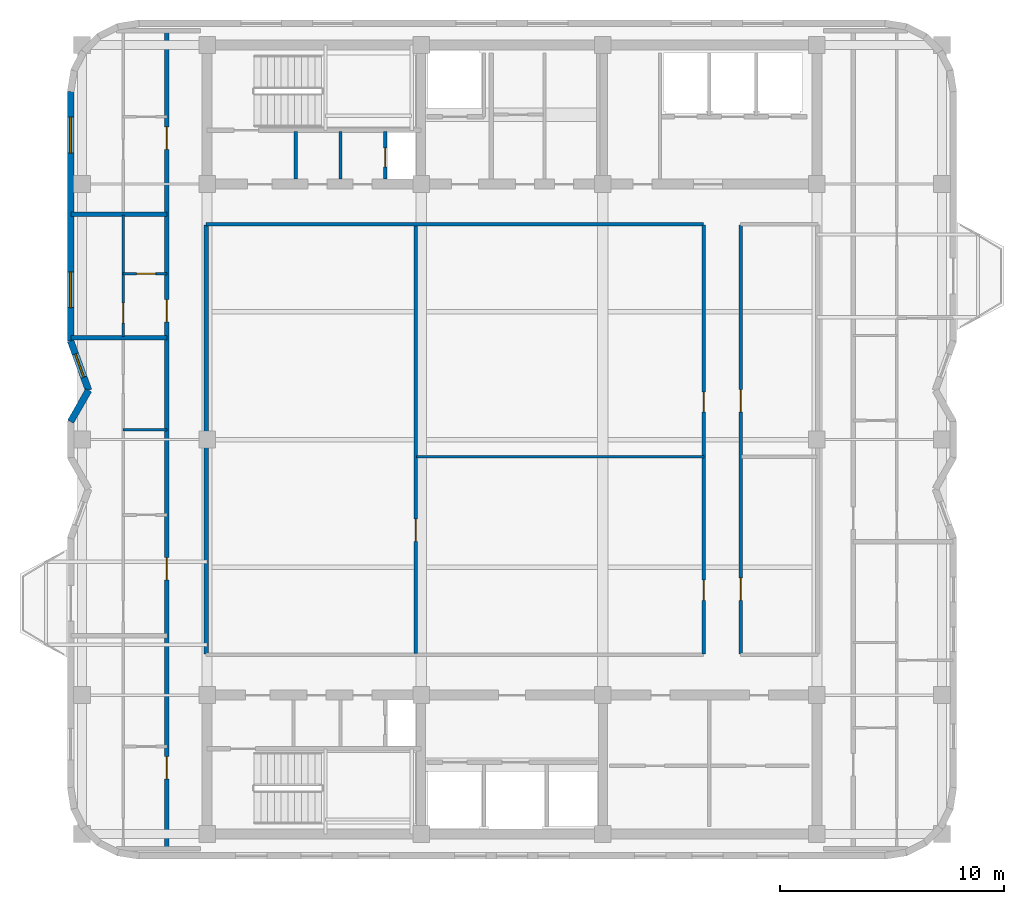
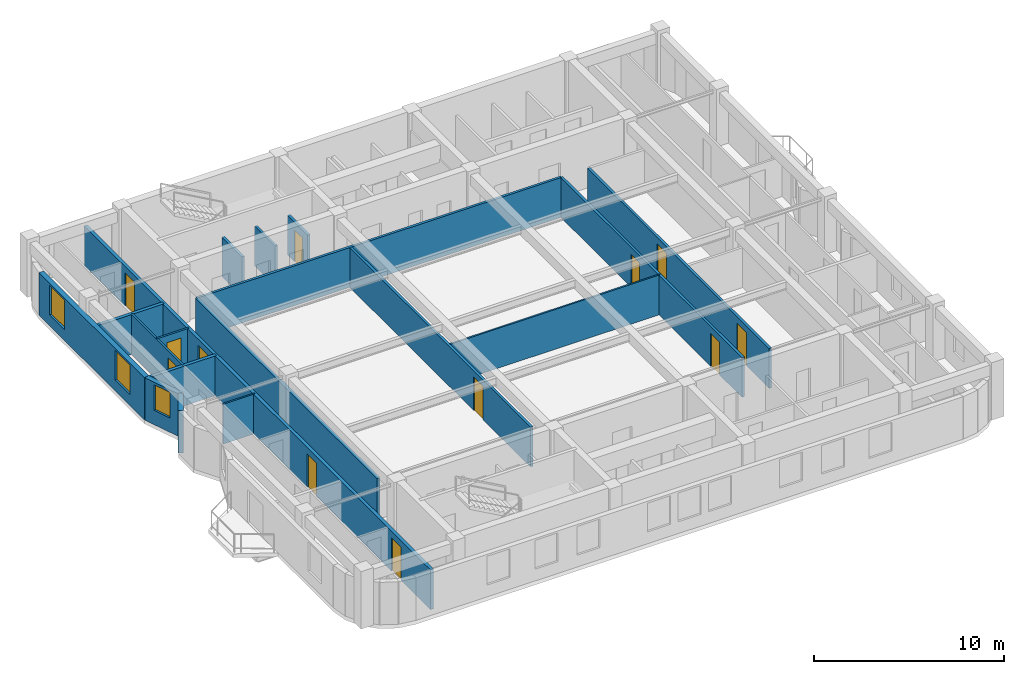
# One storey, part 4 of 9: 18 walls, 12 doors, 3 windows, 15 openings.
"""IFC4 building model written with IfcOpenShell, lengths in metres."""

from ifc_helpers import new_model, si_unit, direction, frame, frame_2d, origin, place, context, subcontext, project, spatial, rectangle, extrude, material, layer, layer_set, type_object, element, fill, save


model = new_model("IFC4")

# Units and contexts
model_context = context("Model", 3, precision=1e-05, world=origin(), true_north=direction((0.0, 1.0)))
body_context = subcontext(model_context, "Body", "Model", "MODEL_VIEW")
ifc_project = project(units=[si_unit("LENGTHUNIT", "METRE"), si_unit("AREAUNIT", "SQUARE_METRE"), si_unit("VOLUMEUNIT", "CUBIC_METRE"), si_unit("PLANEANGLEUNIT", "RADIAN"), si_unit("MASSUNIT", "GRAM", prefix="KILO")], contexts=[model_context])

# Site, building, storey
site_placement = place(None, origin())
site = spatial("IfcSite", under=ifc_project, at=site_placement, CompositionType="ELEMENT")
building_placement = place(site_placement, origin())
building = spatial("IfcBuilding", under=site, at=building_placement, Name="Svetorya Sky Lyceum", CompositionType="ELEMENT")
storey_placement = place(building_placement, frame((0.0, 0.0, 267.60009765625)))
storey = spatial("IfcBuildingStorey", under=building, at=storey_placement, Name="L67", CompositionType="ELEMENT", Elevation=267.60009765625)

# Wall, openings, windows
ifc_material_1 = material(Name="Putilovo limestone rainscreen on autoclaved cellular masonry", Category="masonry")
ifc_layer_1 = layer(ifc_material_1, 0.300048828125)
ifc_layer_set_1 = layer_set([ifc_layer_1], Name="Putilovo limestone rainscreen on autoclaved cellular masonry")
wall_type_1 = type_object("IfcWallType", Name="WL-EXT-300", PredefinedType="SOLIDWALL", material=ifc_layer_set_1)
wall_1_placement = place(storey_placement, frame((19.510009765625, 43.719970703125, 0.0), z_axis=(0.0, 0.0, 1.0), x_axis=(0.0, -1.0, 0.0)))
wall_1 = element("IfcWall", 1, at=wall_1_placement, inside=storey, type_object=wall_type_1, Name="L67 Limestone Exterior Wall 30M", PredefinedType="SOLIDWALL", context=body_context, shape_type="SweptSolid", body=[
    extrude(rectangle(XDim=11.119873046875, YDim=0.300048828125, at=frame_2d((5.56005859375, 0.0))), origin(), (0.0, 0.0, 1.0), 2.72998046875),
])
opening_1_placement = place(wall_1_placement, frame((1.13671875, 0.0, 0.7099609375)))
opening_1 = element("IfcOpeningElement", 2, at=opening_1_placement, cuts=wall_1, Name="Opening W-R4", PredefinedType="OPENING", context=body_context, shape_type="SweptSolid", body=[
    extrude(rectangle(XDim=1.60009765625, YDim=1.89990234375, at=frame_2d((0.800048828125, 0.949951171875))), frame((0.0, 0.159912109375, 0.0), z_axis=(0.0, -1.0, 0.0), x_axis=(1.0, 0.0, 0.0)), (0.0, 0.0, 1.0), 0.320068359375),
])
opening_2_placement = place(wall_1_placement, frame((8.033203125, 0.0, 0.7099609375)))
opening_2 = element("IfcOpeningElement", 3, at=opening_2_placement, cuts=wall_1, Name="Opening W-R4", PredefinedType="OPENING", context=body_context, shape_type="SweptSolid", body=[
    extrude(rectangle(XDim=1.60009765625, YDim=1.89990234375, at=frame_2d((0.800048828125, 0.949951171875))), frame((0.0, 0.159912109375, 0.0), z_axis=(0.0, -1.0, 0.0), x_axis=(1.0, 0.0, 0.0)), (0.0, 0.0, 1.0), 0.320068359375),
])
ifc_material_2 = material(Name="Thermally broken aluminium frame with triple low-E glazing", Category="aluminium")
window_type_1 = type_object("IfcWindowType", Name="WN-RES-160", PartitioningType="DOUBLE_PANEL_VERTICAL", PredefinedType="WINDOW", material=ifc_material_2)
window_1_placement = place(opening_1_placement, origin())
window_1 = element("IfcWindow", 4, at=window_1_placement, inside=storey, type_object=window_type_1, Name="L67 Facade Window W-R4.30M.1", OverallHeight=1.89990234375, OverallWidth=1.60009765625, PartitioningType="SINGLE_PANEL", PredefinedType="WINDOW", context=body_context, shape_type="SweptSolid", body=[
    extrude(rectangle(XDim=1.60009765625, YDim=1.89990234375, at=frame_2d((0.800048828125, 0.949951171875))), frame((0.0, 0.030029296875, 0.0), z_axis=(0.0, -1.0, 0.0), x_axis=(1.0, 0.0, 0.0)), (0.0, 0.0, 1.0), 0.06005859375),
])
fill(opening_1, window_1)
window_2_placement = place(opening_2_placement, origin())
window_2 = element("IfcWindow", 5, at=window_2_placement, inside=storey, type_object=window_type_1, Name="L67 Facade Window W-R4.30M.2", OverallHeight=1.89990234375, OverallWidth=1.60009765625, PartitioningType="SINGLE_PANEL", PredefinedType="WINDOW", context=body_context, shape_type="SweptSolid", body=[
    extrude(rectangle(XDim=1.60009765625, YDim=1.89990234375, at=frame_2d((0.800048828125, 0.949951171875))), frame((0.0, 0.030029296875, 0.0), z_axis=(0.0, -1.0, 0.0), x_axis=(1.0, 0.0, 0.0)), (0.0, 0.0, 1.0), 0.06005859375),
])
fill(opening_2, window_2)

# Wall, opening, window
wall_2_placement = place(storey_placement, frame((19.510009765625, 32.60009765625, 0.0), z_axis=(0.0, 0.0, 1.0), x_axis=(0.341734690003, -0.939796468204, 0.0)))
wall_2 = element("IfcWall", 6, at=wall_2_placement, inside=storey, type_object=wall_type_1, Name="L67 Limestone Exterior Wall 31M", PredefinedType="SOLIDWALL", context=body_context, shape_type="SweptSolid", body=[
    extrude(rectangle(XDim=2.341064453125, YDim=0.300048828125, at=frame_2d((1.17041015625, 0.0))), origin(), (0.0, 0.0, 1.0), 2.72998046875),
])
opening_3_placement = place(wall_2_placement, frame((0.62060546875, 0.0, 0.919921875)))
opening_3 = element("IfcOpeningElement", 7, at=opening_3_placement, cuts=wall_2, Name="Opening W-R3", PredefinedType="OPENING", context=body_context, shape_type="SweptSolid", body=[
    extrude(rectangle(XDim=1.10009765625, YDim=1.64990234375, at=frame_2d((0.550048828125, 0.824951171875))), frame((0.0, 0.159912109375, 0.0), z_axis=(0.0, -1.0, 0.0), x_axis=(1.0, 0.0, 0.0)), (0.0, 0.0, 1.0), 0.320068359375),
])
window_type_2 = type_object("IfcWindowType", Name="WN-RES-110", PartitioningType="SINGLE_PANEL", PredefinedType="WINDOW", material=ifc_material_2)
window_3_placement = place(opening_3_placement, origin())
window_3 = element("IfcWindow", 8, at=window_3_placement, inside=storey, type_object=window_type_2, Name="L67 Facade Window W-R3.31M.1", OverallHeight=1.64990234375, OverallWidth=1.10009765625, PartitioningType="SINGLE_PANEL", PredefinedType="WINDOW", context=body_context, shape_type="SweptSolid", body=[
    extrude(rectangle(XDim=1.10009765625, YDim=1.64990234375, at=frame_2d((0.550048828125, 0.824951171875))), frame((0.0, 0.030029296875, 0.0), z_axis=(0.0, -1.0, 0.0), x_axis=(1.0, 0.0, 0.0)), (0.0, 0.0, 1.0), 0.06005859375),
])
fill(opening_3, window_3)

# Walls
wall_3_placement = place(storey_placement, frame((20.31005859375, 30.39990234375, 0.0), z_axis=(0.0, 0.0, 1.0), x_axis=(-0.496187856351, -0.868215187157, 0.0)))
element("IfcWall", 9, at=wall_3_placement, inside=storey, type_object=wall_type_1, Name="L67 Limestone Exterior Wall 32M", PredefinedType="SOLIDWALL", context=body_context, shape_type="SweptSolid", body=[
    extrude(rectangle(XDim=1.6123046875, YDim=0.300048828125, at=frame_2d((0.80615234375, 0.0))), origin(), (0.0, 0.0, 1.0), 2.72998046875),
])
ifc_material_3 = material(Name="Galvanized stud partition with moisture-resistant board", Category="gypsum")
ifc_layer_2 = layer(ifc_material_3, 0.10009765625)
ifc_layer_set_2 = layer_set([ifc_layer_2], Name="Galvanized stud partition with moisture-resistant board")
wall_type_2 = type_object("IfcWallType", Name="WL-PART-100", PredefinedType="PARTITIONING", material=ifc_layer_set_2)
wall_4_placement = place(storey_placement, frame((34.949951171875, 27.434326171875, 0.0), z_axis=(0.0, 0.0, 1.0), x_axis=(1.0, 0.0, 0.0)))
element("IfcWall", 10, at=wall_4_placement, inside=storey, type_object=wall_type_2, Name="L67 Interior Partition OFF-WHM", PredefinedType="PARTITIONING", context=body_context, shape_type="SweptSolid", body=[
    extrude(rectangle(XDim=12.81005859375, YDim=0.10009765625, at=frame_2d((6.405029296875, 0.0))), origin(), (0.0, 0.0, 1.0), 2.559814453125),
])
wall_5_placement = place(storey_placement, frame((21.85009765625, 28.639892578125, 0.0), z_axis=(0.0, 0.0, 1.0), x_axis=(1.0, 0.0, 0.0)))
element("IfcWall", 11, at=wall_5_placement, inside=storey, type_object=wall_type_2, Name="L67 Interior Partition W2-WH2", PredefinedType="PARTITIONING", context=body_context, shape_type="SweptSolid", body=[
    extrude(rectangle(XDim=1.949951171875, YDim=0.10009765625, at=frame_2d((0.97509765625, 0.0))), origin(), (0.0, 0.0, 1.0), 2.559814453125),
])

# Wall, opening, door
ifc_material_4 = material(Name="Twin-stud galvanized framing with double fireboard", Category="gypsum")
ifc_layer_3 = layer(ifc_material_4, 0.1201171875)
ifc_layer_set_3 = layer_set([ifc_layer_3], Name="Twin-stud galvanized framing with double fireboard")
wall_type_3 = type_object("IfcWallType", Name="WL-PART-120", PredefinedType="PARTITIONING", material=ifc_layer_set_3)
wall_6_placement = place(storey_placement, frame((21.85009765625, 35.60009765625, 0.0), z_axis=(0.0, 0.0, 1.0), x_axis=(1.0, 0.0, 0.0)))
wall_6 = element("IfcWall", 12, at=wall_6_placement, inside=storey, type_object=wall_type_3, Name="L67 Interior Partition W3-WH1", PredefinedType="PARTITIONING", context=body_context, shape_type="SweptSolid", body=[
    extrude(rectangle(XDim=1.949951171875, YDim=0.1201171875, at=frame_2d((0.97509765625, 0.0))), origin(), (0.0, 0.0, 1.0), 2.559814453125),
])
opening_4_placement = place(wall_6_placement, frame((0.60009765625, 0.0, 0.0)))
opening_4 = element("IfcOpeningElement", 13, at=opening_4_placement, cuts=wall_6, Name="Opening D-BT1", PredefinedType="OPENING", context=body_context, shape_type="SweptSolid", body=[
    extrude(rectangle(XDim=0.85009765625, YDim=2.10009765625, at=frame_2d((0.425048828125, 1.050048828125))), frame((0.0, 0.070068359375, 0.0), z_axis=(0.0, -1.0, 0.0), x_axis=(1.0, 0.0, 0.0)), (0.0, 0.0, 1.0), 0.14013671875),
])
ifc_material_5 = material(Name="Moisture-resistant laminate bathroom door")
door_type_1 = type_object("IfcDoorType", Name="DR-WET-850", OperationType="SINGLE_SWING_LEFT", PredefinedType="DOOR", material=ifc_material_5)
door_1_placement = place(opening_4_placement, origin())
door_1 = element("IfcDoor", 14, at=door_1_placement, inside=storey, type_object=door_type_1, Name="Apartment W3 Bathroom Door", OperationType="SINGLE_SWING_LEFT", OverallHeight=2.10009765625, OverallWidth=0.85009765625, PredefinedType="DOOR", context=body_context, shape_type="SweptSolid", body=[
    extrude(rectangle(XDim=0.85009765625, YDim=2.10009765625, at=frame_2d((0.425048828125, 1.050048828125))), frame((0.0, 0.02490234375, 0.0), z_axis=(0.0, -1.0, 0.0), x_axis=(1.0, 0.0, 0.0)), (0.0, 0.0, 1.0), 0.050048828125),
])
fill(opening_4, door_1)

wall_7_placement = place(storey_placement, frame((21.85009765625, 32.7900390625, 0.0), z_axis=(0.0, 0.0, 1.0), x_axis=(0.0, 1.0, 0.0)))
wall_7 = element("IfcWall", 15, at=wall_7_placement, inside=storey, type_object=wall_type_3, Name="L67 Interior Partition W3-WV", PredefinedType="PARTITIONING", context=body_context, shape_type="SweptSolid", body=[
    extrude(rectangle(XDim=5.419921875, YDim=0.1201171875, at=frame_2d((2.7099609375, 0.0))), origin(), (0.0, 0.0, 1.0), 2.559814453125),
])
opening_5_placement = place(wall_7_placement, frame((0.610107421875, 0.0, 0.0)))
opening_5 = element("IfcOpeningElement", 16, at=opening_5_placement, cuts=wall_7, Name="Opening D-RM1", PredefinedType="OPENING", context=body_context, shape_type="SweptSolid", body=[
    extrude(rectangle(XDim=0.89990234375, YDim=2.10009765625, at=frame_2d((0.449951171875, 1.050048828125))), frame((0.0, 0.070068359375, 0.0), z_axis=(0.0, -1.0, 0.0), x_axis=(1.0, 0.0, 0.0)), (0.0, 0.0, 1.0), 0.14013671875),
])
ifc_material_6 = material(Name="Lacquered birch veneer internal door")
door_type_2 = type_object("IfcDoorType", Name="DR-INT-900", OperationType="SINGLE_SWING_LEFT", PredefinedType="DOOR", material=ifc_material_6)
door_2_placement = place(opening_5_placement, origin())
door_2 = element("IfcDoor", 17, at=door_2_placement, inside=storey, type_object=door_type_2, Name="Apartment W3 Living Door", OperationType="SINGLE_SWING_RIGHT", OverallHeight=2.10009765625, OverallWidth=0.89990234375, PredefinedType="DOOR", context=body_context, shape_type="SweptSolid", body=[
    extrude(rectangle(XDim=0.89990234375, YDim=2.10009765625, at=frame_2d((0.449951171875, 1.050048828125))), frame((0.0, 0.02490234375, 0.0), z_axis=(0.0, -1.0, 0.0), x_axis=(1.0, 0.0, 0.0)), (0.0, 0.0, 1.0), 0.050048828125),
])
fill(opening_5, door_2)

ifc_material_7 = material(Name="Autoclaved cellular masonry blockwork with acoustic render", Category="masonry")
ifc_layer_4 = layer(ifc_material_7, 0.14990234375)
ifc_layer_set_4 = layer_set([ifc_layer_4], Name="Autoclaved cellular masonry blockwork with acoustic render")
wall_type_4 = type_object("IfcWallType", Name="WL-PART-150", PredefinedType="PARTITIONING", material=ifc_layer_set_4)
wall_8_placement = place(storey_placement, frame((33.550048828125, 39.820068359375, 0.0), z_axis=(0.0, 0.0, 1.0), x_axis=(0.0, 1.0, 0.0)))
wall_8 = element("IfcWall", 18, at=wall_8_placement, inside=storey, type_object=wall_type_4, Name="L67 Interior Partition NC-RSRW", PredefinedType="PARTITIONING", context=body_context, shape_type="SweptSolid", body=[
    extrude(rectangle(XDim=2.1298828125, YDim=0.14990234375, at=frame_2d((1.06494140625, 0.0))), origin(), (0.0, 0.0, 1.0), 2.559814453125),
])
opening_6_placement = place(wall_8_placement, frame((0.550048828125, 0.0, 0.0)))
opening_6 = element("IfcOpeningElement", 19, at=opening_6_placement, cuts=wall_8, Name="Opening D-SH1", PredefinedType="OPENING", context=body_context, shape_type="SweptSolid", body=[
    extrude(rectangle(XDim=0.85009765625, YDim=2.050048828125, at=frame_2d((0.425048828125, 1.02490234375))), frame((0.0, 0.0849609375, 0.0), z_axis=(0.0, -1.0, 0.0), x_axis=(1.0, 0.0, 0.0)), (0.0, 0.0, 1.0), 0.169921875),
])
ifc_material_8 = material(Name="Insulated galvanized riser inspection fire door")
door_type_3 = type_object("IfcDoorType", Name="DR-SHFT-850", OperationType="SINGLE_SWING_LEFT", PredefinedType="TRAPDOOR", material=ifc_material_8)
door_3_placement = place(opening_6_placement, origin())
door_3 = element("IfcDoor", 20, at=door_3_placement, inside=storey, type_object=door_type_3, Name="L67 North Riser Access Door", OperationType="SINGLE_SWING_LEFT", OverallHeight=2.050048828125, OverallWidth=0.85009765625, PredefinedType="TRAPDOOR", context=body_context, shape_type="SweptSolid", body=[
    extrude(rectangle(XDim=0.85009765625, YDim=2.050048828125, at=frame_2d((0.425048828125, 1.02490234375))), frame((0.0, 0.02490234375, 0.0), z_axis=(0.0, -1.0, 0.0), x_axis=(1.0, 0.0, 0.0)), (0.0, 0.0, 1.0), 0.050048828125),
])
fill(opening_6, door_3)

# Walls
for number, where, z_axis, x_axis, name in (
    (21, (29.550048828125, 39.820068359375, 0.0), (0.0, 0.0, 1.0), (0.0, 1.0, 0.0), "L67 Interior Partition NC-NWD1"),
    (22, (31.550048828125, 39.820068359375, 0.0), (0.0, 0.0, 1.0), (0.0, 1.0, 0.0), "L67 Interior Partition NC-NWD2"),
):
    element("IfcWall", number, at=place(storey_placement, frame(where, z_axis=z_axis, x_axis=x_axis)), inside=storey, type_object=wall_type_4, Name=name, PredefinedType="PARTITIONING", context=body_context, shape_type="SweptSolid", body=[
        extrude(rectangle(XDim=2.1298828125, YDim=0.14990234375, at=frame_2d((1.06494140625, 0.0))), origin(), (0.0, 0.0, 1.0), 2.559814453125),
    ])
wall_9_placement = place(storey_placement, frame((25.550048828125, 37.800048828125, 0.0), z_axis=(0.0, 0.0, 1.0), x_axis=(1.0, 0.0, 0.0)))
element("IfcWall", 23, at=wall_9_placement, inside=storey, type_object=wall_type_4, Name="L67 Interior Partition OFF-CN-W", PredefinedType="PARTITIONING", context=body_context, shape_type="SweptSolid", body=[
    extrude(rectangle(XDim=22.199951171875, YDim=0.14990234375, at=frame_2d((11.10009765625, 0.0))), origin(), (0.0, 0.0, 1.0), 2.559814453125),
])

# Wall, opening, door
wall_10_placement = place(storey_placement, frame((34.89990234375, 18.659912109375, 0.0), z_axis=(0.0, 0.0, 1.0), x_axis=(0.0, 1.0, 0.0)))
wall_10 = element("IfcWall", 24, at=wall_10_placement, inside=storey, type_object=wall_type_4, Name="L67 Interior Partition OFF-WVM", PredefinedType="PARTITIONING", context=body_context, shape_type="SweptSolid", body=[
    extrude(rectangle(XDim=19.080078125, YDim=0.14990234375, at=frame_2d((9.5400390625, 0.0))), origin(), (0.0, 0.0, 1.0), 2.559814453125),
])
opening_7_placement = place(wall_10_placement, frame((5.0, 0.0, 0.0)))
opening_7 = element("IfcOpeningElement", 25, at=opening_7_placement, cuts=wall_10, Name="Opening D-RM2", PredefinedType="OPENING", context=body_context, shape_type="SweptSolid", body=[
    extrude(rectangle(XDim=1.0, YDim=2.14990234375, at=frame_2d((0.5, 1.074951171875))), frame((0.0, 0.0849609375, 0.0), z_axis=(0.0, -1.0, 0.0), x_axis=(1.0, 0.0, 0.0)), (0.0, 0.0, 1.0), 0.169921875),
])
ifc_material_9 = material(Name="Solid-core oak acoustic room door")
door_type_4 = type_object("IfcDoorType", Name="DR-INT-1000", OperationType="SINGLE_SWING_LEFT", PredefinedType="DOOR", material=ifc_material_9)
door_4_placement = place(opening_7_placement, origin())
door_4 = element("IfcDoor", 26, at=door_4_placement, inside=storey, type_object=door_type_4, Name="L67 West Seminar Door", OperationType="SINGLE_SWING_LEFT", OverallHeight=2.14990234375, OverallWidth=1.0, PredefinedType="DOOR", context=body_context, shape_type="SweptSolid", body=[
    extrude(rectangle(XDim=1.0, YDim=2.14990234375, at=frame_2d((0.5, 1.074951171875))), frame((0.0, 0.02490234375, 0.0), z_axis=(0.0, -1.0, 0.0), x_axis=(1.0, 0.0, 0.0)), (0.0, 0.0, 1.0), 0.050048828125),
])
fill(opening_7, door_4)

# Wall, openings, doors
wall_11_placement = place(storey_placement, frame((47.75, 18.6298828125, 0.0), z_axis=(0.0, 0.0, 1.0), x_axis=(0.0, 1.0, 0.0)))
wall_11 = element("IfcWall", 27, at=wall_11_placement, inside=storey, type_object=wall_type_4, Name="L67 Interior Partition OFF-VW", PredefinedType="PARTITIONING", context=body_context, shape_type="SweptSolid", body=[
    extrude(rectangle(XDim=19.14013671875, YDim=0.14990234375, at=frame_2d((9.570068359375, 0.0))), origin(), (0.0, 0.0, 1.0), 2.559814453125),
])
opening_8_placement = place(wall_11_placement, frame((2.39990234375, 0.0, 0.0)))
opening_8 = element("IfcOpeningElement", 28, at=opening_8_placement, cuts=wall_11, Name="Opening D-RM1", PredefinedType="OPENING", context=body_context, shape_type="SweptSolid", body=[
    extrude(rectangle(XDim=0.89990234375, YDim=2.10009765625, at=frame_2d((0.449951171875, 1.050048828125))), frame((0.0, 0.0849609375, 0.0), z_axis=(0.0, -1.0, 0.0), x_axis=(1.0, 0.0, 0.0)), (0.0, 0.0, 1.0), 0.169921875),
])
opening_9_placement = place(wall_11_placement, frame((10.804443359375, 0.0, 0.0)))
opening_9 = element("IfcOpeningElement", 29, at=opening_9_placement, cuts=wall_11, Name="Opening D-RM1", PredefinedType="OPENING", context=body_context, shape_type="SweptSolid", body=[
    extrude(rectangle(XDim=0.89990234375, YDim=2.10009765625, at=frame_2d((0.449951171875, 1.050048828125))), frame((0.0, 0.0849609375, 0.0), z_axis=(0.0, -1.0, 0.0), x_axis=(1.0, 0.0, 0.0)), (0.0, 0.0, 1.0), 0.169921875),
])
door_5_placement = place(opening_8_placement, origin())
door_5 = element("IfcDoor", 30, at=door_5_placement, inside=storey, type_object=door_type_2, Name="L67 Study Door", OperationType="SINGLE_SWING_LEFT", OverallHeight=2.10009765625, OverallWidth=0.89990234375, PredefinedType="DOOR", context=body_context, shape_type="SweptSolid", body=[
    extrude(rectangle(XDim=0.89990234375, YDim=2.10009765625, at=frame_2d((0.449951171875, 1.050048828125))), frame((0.0, 0.02490234375, 0.0), z_axis=(0.0, -1.0, 0.0), x_axis=(1.0, 0.0, 0.0)), (0.0, 0.0, 1.0), 0.050048828125),
])
fill(opening_8, door_5)
door_6_placement = place(opening_9_placement, origin())
door_6 = element("IfcDoor", 31, at=door_6_placement, inside=storey, type_object=door_type_2, Name="L67 Office Door", OperationType="SINGLE_SWING_RIGHT", OverallHeight=2.10009765625, OverallWidth=0.89990234375, PredefinedType="DOOR", context=body_context, shape_type="SweptSolid", body=[
    extrude(rectangle(XDim=0.89990234375, YDim=2.10009765625, at=frame_2d((0.449951171875, 1.050048828125))), frame((0.0, 0.02490234375, 0.0), z_axis=(0.0, -1.0, 0.0), x_axis=(1.0, 0.0, 0.0)), (0.0, 0.0, 1.0), 0.050048828125),
])
fill(opening_9, door_6)

wall_12_placement = place(storey_placement, frame((49.39990234375, 18.6298828125, 0.0), z_axis=(0.0, 0.0, 1.0), x_axis=(0.0, 1.0, 0.0)))
wall_12 = element("IfcWall", 32, at=wall_12_placement, inside=storey, type_object=wall_type_4, Name="L67 Interior Partition OFF-VE", PredefinedType="PARTITIONING", context=body_context, shape_type="SweptSolid", body=[
    extrude(rectangle(XDim=19.14013671875, YDim=0.14990234375, at=frame_2d((9.570068359375, 0.0))), origin(), (0.0, 0.0, 1.0), 2.559814453125),
])
opening_10_placement = place(wall_12_placement, frame((2.39990234375, 0.0, 0.0)))
opening_10 = element("IfcOpeningElement", 33, at=opening_10_placement, cuts=wall_12, Name="Opening D-RM2", PredefinedType="OPENING", context=body_context, shape_type="SweptSolid", body=[
    extrude(rectangle(XDim=1.0, YDim=2.14990234375, at=frame_2d((0.5, 1.074951171875))), frame((0.0, 0.0849609375, 0.0), z_axis=(0.0, -1.0, 0.0), x_axis=(1.0, 0.0, 0.0)), (0.0, 0.0, 1.0), 0.169921875),
])
opening_11_placement = place(wall_12_placement, frame((10.804443359375, 0.0, 0.0)))
opening_11 = element("IfcOpeningElement", 34, at=opening_11_placement, cuts=wall_12, Name="Opening D-RM2", PredefinedType="OPENING", context=body_context, shape_type="SweptSolid", body=[
    extrude(rectangle(XDim=1.0, YDim=2.14990234375, at=frame_2d((0.5, 1.074951171875))), frame((0.0, 0.0849609375, 0.0), z_axis=(0.0, -1.0, 0.0), x_axis=(1.0, 0.0, 0.0)), (0.0, 0.0, 1.0), 0.169921875),
])
door_7_placement = place(opening_10_placement, origin())
door_7 = element("IfcDoor", 35, at=door_7_placement, inside=storey, type_object=door_type_4, Name="L67 Club Door", OperationType="SINGLE_SWING_RIGHT", OverallHeight=2.14990234375, OverallWidth=1.0, PredefinedType="DOOR", context=body_context, shape_type="SweptSolid", body=[
    extrude(rectangle(XDim=1.0, YDim=2.14990234375, at=frame_2d((0.5, 1.074951171875))), frame((0.0, 0.02490234375, 0.0), z_axis=(0.0, -1.0, 0.0), x_axis=(1.0, 0.0, 0.0)), (0.0, 0.0, 1.0), 0.050048828125),
])
fill(opening_10, door_7)
door_8_placement = place(opening_11_placement, origin())
door_8 = element("IfcDoor", 36, at=door_8_placement, inside=storey, type_object=door_type_4, Name="L67 Seminar Door", OperationType="SINGLE_SWING_LEFT", OverallHeight=2.14990234375, OverallWidth=1.0, PredefinedType="DOOR", context=body_context, shape_type="SweptSolid", body=[
    extrude(rectangle(XDim=1.0, YDim=2.14990234375, at=frame_2d((0.5, 1.074951171875))), frame((0.0, 0.02490234375, 0.0), z_axis=(0.0, -1.0, 0.0), x_axis=(1.0, 0.0, 0.0)), (0.0, 0.0, 1.0), 0.050048828125),
])
fill(opening_11, door_8)

# Walls
ifc_material_10 = material(Name="Autoclaved cellular masonry blockwork with gypsum plaster", Category="masonry")
ifc_layer_5 = layer(ifc_material_10, 0.199951171875)
ifc_layer_set_5 = layer_set([ifc_layer_5], Name="Autoclaved cellular masonry blockwork with gypsum plaster")
wall_type_5 = type_object("IfcWallType", Name="WL-PART-200", PredefinedType="PARTITIONING", material=ifc_layer_set_5)
wall_13_placement = place(storey_placement, frame((25.550048828125, 18.6298828125, 0.0), z_axis=(0.0, 0.0, 1.0), x_axis=(0.0, 1.0, 0.0)))
element("IfcWall", 37, at=wall_13_placement, inside=storey, type_object=wall_type_5, Name="L67 Interior Partition W-CEN-SEP", PredefinedType="PARTITIONING", context=body_context, shape_type="SweptSolid", body=[
    extrude(rectangle(XDim=19.14013671875, YDim=0.199951171875, at=frame_2d((9.570068359375, 0.0))), origin(), (0.0, 0.0, 1.0), 2.559814453125),
])
for number, where, z_axis, x_axis, name in (
    (38, (19.530029296875, 32.75, 0.0), (0.0, 0.0, 1.0), (1.0, 0.0, 0.0), "L67 Interior Partition W-PARTY-2"),
    (39, (19.530029296875, 38.25, 0.0), (0.0, 0.0, 1.0), (1.0, 0.0, 0.0), "L67 Interior Partition W-PARTY-3"),
):
    element("IfcWall", number, at=place(storey_placement, frame(where, z_axis=z_axis, x_axis=x_axis)), inside=storey, type_object=wall_type_5, Name=name, PredefinedType="PARTITIONING", context=body_context, shape_type="SweptSolid", body=[
        extrude(rectangle(XDim=4.27001953125, YDim=0.199951171875, at=frame_2d((2.135009765625, 0.0))), origin(), (0.0, 0.0, 1.0), 2.559814453125),
    ])

# Wall, openings, doors
wall_14_placement = place(storey_placement, frame((23.800048828125, 9.949951171875, 0.0), z_axis=(0.0, 0.0, 1.0), x_axis=(0.0, 1.0, 0.0)))
wall_14 = element("IfcWall", 40, at=wall_14_placement, inside=storey, type_object=wall_type_5, Name="L67 Interior Partition W-CORRW", PredefinedType="PARTITIONING", context=body_context, shape_type="SweptSolid", body=[
    extrude(rectangle(XDim=36.5, YDim=0.199951171875, at=frame_2d((18.25, 0.0))), origin(), (0.0, 0.0, 1.0), 2.559814453125),
])
opening_12_placement = place(wall_14_placement, frame((3.110107421875, 0.0, 0.0)))
opening_12 = element("IfcOpeningElement", 41, at=opening_12_placement, cuts=wall_14, Name="Opening D-APT1", PredefinedType="OPENING", context=body_context, shape_type="SweptSolid", body=[
    extrude(rectangle(XDim=1.0, YDim=2.14990234375, at=frame_2d((0.5, 1.074951171875))), frame((0.0, 0.10986328125, 0.0), z_axis=(0.0, -1.0, 0.0), x_axis=(1.0, 0.0, 0.0)), (0.0, 0.0, 1.0), 0.219970703125),
])
opening_13_placement = place(wall_14_placement, frame((11.989990234375, 0.0, 0.0)))
opening_13 = element("IfcOpeningElement", 42, at=opening_13_placement, cuts=wall_14, Name="Opening D-APT1", PredefinedType="OPENING", context=body_context, shape_type="SweptSolid", body=[
    extrude(rectangle(XDim=1.0, YDim=2.14990234375, at=frame_2d((0.5, 1.074951171875))), frame((0.0, 0.10986328125, 0.0), z_axis=(0.0, -1.0, 0.0), x_axis=(1.0, 0.0, 0.0)), (0.0, 0.0, 1.0), 0.219970703125),
])
opening_14_placement = place(wall_14_placement, frame((23.5, 0.0, 0.0)))
opening_14 = element("IfcOpeningElement", 43, at=opening_14_placement, cuts=wall_14, Name="Opening D-APT1", PredefinedType="OPENING", context=body_context, shape_type="SweptSolid", body=[
    extrude(rectangle(XDim=1.0, YDim=2.14990234375, at=frame_2d((0.5, 1.074951171875))), frame((0.0, 0.10986328125, 0.0), z_axis=(0.0, -1.0, 0.0), x_axis=(1.0, 0.0, 0.0)), (0.0, 0.0, 1.0), 0.219970703125),
])
opening_15_placement = place(wall_14_placement, frame((31.199951171875, 0.0, 0.0)))
opening_15 = element("IfcOpeningElement", 44, at=opening_15_placement, cuts=wall_14, Name="Opening D-APT1", PredefinedType="OPENING", context=body_context, shape_type="SweptSolid", body=[
    extrude(rectangle(XDim=1.0, YDim=2.14990234375, at=frame_2d((0.5, 1.074951171875))), frame((0.0, 0.10986328125, 0.0), z_axis=(0.0, -1.0, 0.0), x_axis=(1.0, 0.0, 0.0)), (0.0, 0.0, 1.0), 0.219970703125),
])
ifc_material_11 = material(Name="Insulated oak-veneered apartment entrance door")
door_type_5 = type_object("IfcDoorType", Name="DR-APT-1000", OperationType="SINGLE_SWING_LEFT", PredefinedType="DOOR", material=ifc_material_11)
door_9_placement = place(opening_12_placement, origin())
door_9 = element("IfcDoor", 45, at=door_9_placement, inside=storey, type_object=door_type_5, Name="L67 Apartment W1 Entrance Door", OperationType="SINGLE_SWING_LEFT", OverallHeight=2.14990234375, OverallWidth=1.0, PredefinedType="DOOR", context=body_context, shape_type="SweptSolid", body=[
    extrude(rectangle(XDim=1.0, YDim=2.14990234375, at=frame_2d((0.5, 1.074951171875))), frame((0.0, 0.02490234375, 0.0), z_axis=(0.0, -1.0, 0.0), x_axis=(1.0, 0.0, 0.0)), (0.0, 0.0, 1.0), 0.050048828125),
])
fill(opening_12, door_9)
door_10_placement = place(opening_13_placement, origin())
door_10 = element("IfcDoor", 46, at=door_10_placement, inside=storey, type_object=door_type_5, Name="L67 Apartment W2 Entrance Door", OperationType="SINGLE_SWING_RIGHT", OverallHeight=2.14990234375, OverallWidth=1.0, PredefinedType="DOOR", context=body_context, shape_type="SweptSolid", body=[
    extrude(rectangle(XDim=1.0, YDim=2.14990234375, at=frame_2d((0.5, 1.074951171875))), frame((0.0, 0.02490234375, 0.0), z_axis=(0.0, -1.0, 0.0), x_axis=(1.0, 0.0, 0.0)), (0.0, 0.0, 1.0), 0.050048828125),
])
fill(opening_13, door_10)
door_11_placement = place(opening_14_placement, origin())
door_11 = element("IfcDoor", 47, at=door_11_placement, inside=storey, type_object=door_type_5, Name="L67 Apartment W3 Entrance Door", OperationType="SINGLE_SWING_LEFT", OverallHeight=2.14990234375, OverallWidth=1.0, PredefinedType="DOOR", context=body_context, shape_type="SweptSolid", body=[
    extrude(rectangle(XDim=1.0, YDim=2.14990234375, at=frame_2d((0.5, 1.074951171875))), frame((0.0, 0.02490234375, 0.0), z_axis=(0.0, -1.0, 0.0), x_axis=(1.0, 0.0, 0.0)), (0.0, 0.0, 1.0), 0.050048828125),
])
fill(opening_14, door_11)
door_12_placement = place(opening_15_placement, origin())
door_12 = element("IfcDoor", 48, at=door_12_placement, inside=storey, type_object=door_type_5, Name="L67 Apartment W4 Entrance Door", OperationType="SINGLE_SWING_RIGHT", OverallHeight=2.14990234375, OverallWidth=1.0, PredefinedType="DOOR", context=body_context, shape_type="SweptSolid", body=[
    extrude(rectangle(XDim=1.0, YDim=2.14990234375, at=frame_2d((0.5, 1.074951171875))), frame((0.0, 0.02490234375, 0.0), z_axis=(0.0, -1.0, 0.0), x_axis=(1.0, 0.0, 0.0)), (0.0, 0.0, 1.0), 0.050048828125),
])
fill(opening_15, door_12)

save(model, "model.ifc")
